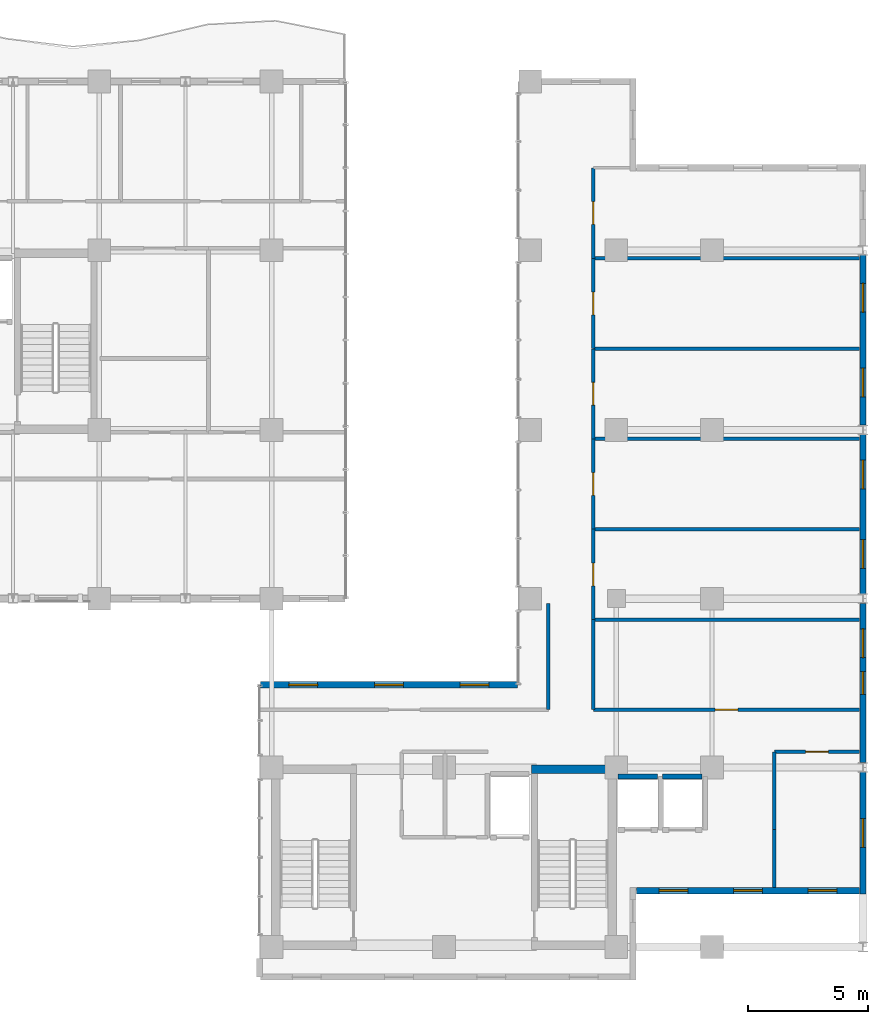
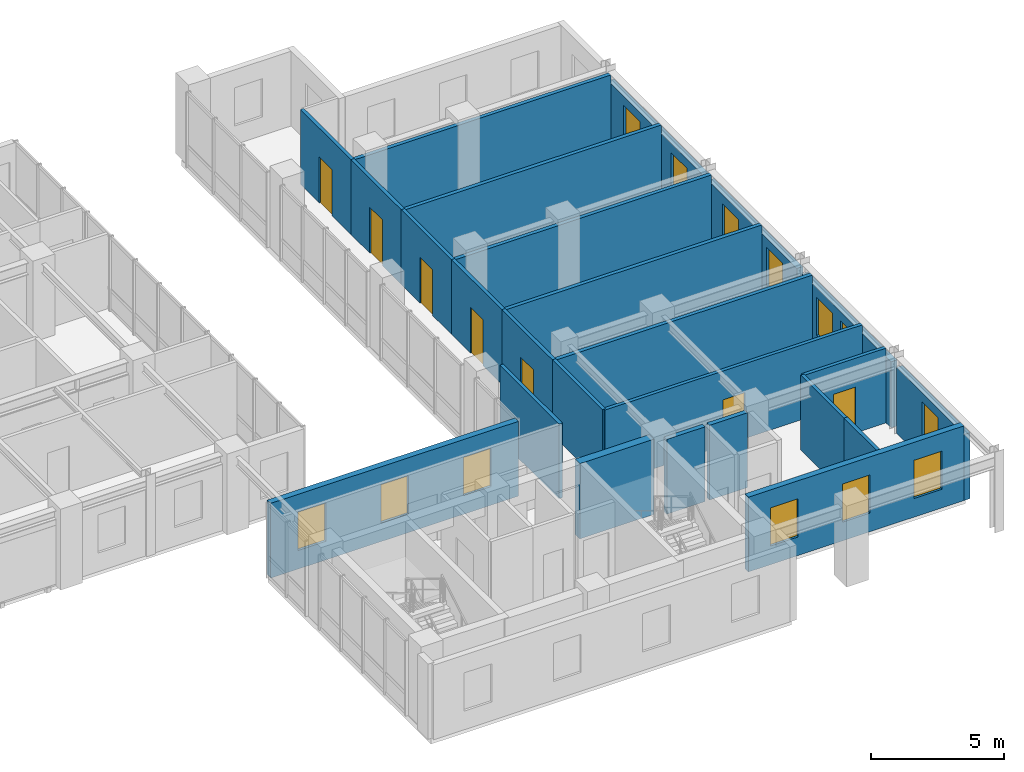
# One storey, part 19 of 24: 25 walls, 13 windows, 7 doors, 20 openings.
"""IFC4 building model written with IfcOpenShell, lengths in metres."""

from ifc_helpers import new_model, si_unit, direction, frame, frame_2d, origin, place, context, subcontext, project, spatial, rectangle, extrude, material, layer, layer_set, type_object, element, fill, save


model = new_model("IFC4")

# Units and contexts
model_context = context("Model", 3, precision=1e-05, world=origin(), true_north=direction((0.0, 1.0)))
body_context = subcontext(model_context, "Body", "Model", "MODEL_VIEW")
ifc_project = project(units=[si_unit("LENGTHUNIT", "METRE"), si_unit("AREAUNIT", "SQUARE_METRE"), si_unit("VOLUMEUNIT", "CUBIC_METRE"), si_unit("PLANEANGLEUNIT", "RADIAN"), si_unit("MASSUNIT", "GRAM", prefix="KILO")], contexts=[model_context])

# Site, building, storey
site_placement = place(None, origin())
site = spatial("IfcSite", under=ifc_project, at=site_placement, CompositionType="ELEMENT")
building_placement = place(site_placement, origin())
building = spatial("IfcBuilding", under=site, at=building_placement, Name="Kaliganga Portal Commons", CompositionType="ELEMENT")
storey_placement = place(building_placement, frame((0.0, 0.0, 242.5)))
storey = spatial("IfcBuildingStorey", under=building, at=storey_placement, Name="L62", CompositionType="ELEMENT", Elevation=242.5)

# Wall
ifc_material_1 = material(Name="Concrete C50/60", Category="concrete")
ifc_layer_1 = layer(ifc_material_1, 0.35009765625)
ifc_layer_set_1 = layer_set([ifc_layer_1], Name="Concrete C50/60")
wall_type_1 = type_object("IfcWallType", Name="WL-CORE-350", PredefinedType="SHEAR", material=ifc_layer_set_1)
wall_1_placement = place(storey_placement, frame((46.85009765625, 14.47509765625, 0.0), z_axis=(0.0, 0.0, 1.0), x_axis=(1.0, 0.0, 0.0)))
element("IfcWall", 1, at=wall_1_placement, inside=storey, type_object=wall_type_1, Name="Core B N-East Shear Wall L62", PredefinedType="SHEAR", context=body_context, shape_type="SweptSolid", body=[
    extrude(rectangle(XDim=3.199951171875, YDim=0.35009765625, at=frame_2d((1.60009765625, 0.0))), origin(), (0.0, 0.0, 1.0), 3.43994140625),
])

# Wall, openings, windows
ifc_material_2 = material(Name="Insulated Aluminium-Clad Spandrel Assembly", Category="aluminium")
ifc_layer_2 = layer(ifc_material_2, 0.260009765625)
ifc_layer_set_2 = layer_set([ifc_layer_2], Name="Insulated Aluminium-Clad Spandrel Assembly")
wall_type_2 = type_object("IfcWallType", Name="WL-EXT-SPAND-260", PredefinedType="STANDARD", material=ifc_layer_set_2)
wall_2_placement = place(storey_placement, frame((60.56494140625, 9.39990234375, 0.0), z_axis=(0.0, 0.0, 1.0), x_axis=(-1.0, 0.0, 0.0)))
wall_2 = element("IfcWall", 2, at=wall_2_placement, inside=storey, type_object=wall_type_2, Name="Exterior Envelope Wall L62 P2-E02-S1", PredefinedType="STANDARD", context=body_context, shape_type="SweptSolid", body=[
    extrude(rectangle(XDim=9.329833984375, YDim=0.260009765625, at=frame_2d((4.6650390625, 0.0))), origin(), (0.0, 0.0, 1.0), 3.419921875),
])
opening_1_placement = place(wall_2_placement, frame((0.955078125, 0.0, 0.85009765625)))
opening_1 = element("IfcOpeningElement", 3, at=opening_1_placement, cuts=wall_2, Name="Opening W-03", PredefinedType="OPENING", context=body_context, shape_type="SweptSolid", body=[
    extrude(rectangle(XDim=1.199951171875, YDim=1.75, at=frame_2d((0.60009765625, 0.875))), frame((0.0, 0.14013671875, 0.0), z_axis=(0.0, -1.0, 0.0), x_axis=(1.0, 0.0, 0.0)), (0.0, 0.0, 1.0), 0.280029296875),
])
opening_2_placement = place(wall_2_placement, frame((4.06494140625, 0.0, 0.85009765625)))
opening_2 = element("IfcOpeningElement", 4, at=opening_2_placement, cuts=wall_2, Name="Opening W-03", PredefinedType="OPENING", context=body_context, shape_type="SweptSolid", body=[
    extrude(rectangle(XDim=1.199951171875, YDim=1.75, at=frame_2d((0.60009765625, 0.875))), frame((0.0, 0.14013671875, 0.0), z_axis=(0.0, -1.0, 0.0), x_axis=(1.0, 0.0, 0.0)), (0.0, 0.0, 1.0), 0.280029296875),
])
opening_3_placement = place(wall_2_placement, frame((7.175048828125, 0.0, 0.85009765625)))
opening_3 = element("IfcOpeningElement", 5, at=opening_3_placement, cuts=wall_2, Name="Opening W-03", PredefinedType="OPENING", context=body_context, shape_type="SweptSolid", body=[
    extrude(rectangle(XDim=1.199951171875, YDim=1.75, at=frame_2d((0.60009765625, 0.875))), frame((0.0, 0.14013671875, 0.0), z_axis=(0.0, -1.0, 0.0), x_axis=(1.0, 0.0, 0.0)), (0.0, 0.0, 1.0), 0.280029296875),
])
ifc_material_3 = material(Name="Thermally Broken Aluminium and Low-E Double Glazing", Category="aluminium")
window_type_1 = type_object("IfcWindowType", Name="WIN-STD-1200", PartitioningType="SINGLE_PANEL", PredefinedType="WINDOW", material=ifc_material_3)
window_1_placement = place(opening_1_placement, origin())
window_1 = element("IfcWindow", 6, at=window_1_placement, inside=storey, type_object=window_type_1, Name="Facade Window L62-P2E02S1-00", OverallHeight=1.75, OverallWidth=1.199951171875, PartitioningType="SINGLE_PANEL", PredefinedType="WINDOW", context=body_context, shape_type="SweptSolid", body=[
    extrude(rectangle(XDim=1.199951171875, YDim=1.75, at=frame_2d((0.60009765625, 0.875))), frame((0.0, 0.030029296875, 0.0), z_axis=(0.0, -1.0, 0.0), x_axis=(1.0, 0.0, 0.0)), (0.0, 0.0, 1.0), 0.06005859375),
])
fill(opening_1, window_1)
window_2_placement = place(opening_2_placement, origin())
window_2 = element("IfcWindow", 7, at=window_2_placement, inside=storey, type_object=window_type_1, Name="Facade Window L62-P2E02S1-01", OverallHeight=1.75, OverallWidth=1.199951171875, PartitioningType="SINGLE_PANEL", PredefinedType="WINDOW", context=body_context, shape_type="SweptSolid", body=[
    extrude(rectangle(XDim=1.199951171875, YDim=1.75, at=frame_2d((0.60009765625, 0.875))), frame((0.0, 0.030029296875, 0.0), z_axis=(0.0, -1.0, 0.0), x_axis=(1.0, 0.0, 0.0)), (0.0, 0.0, 1.0), 0.06005859375),
])
fill(opening_2, window_2)
window_3_placement = place(opening_3_placement, origin())
window_3 = element("IfcWindow", 8, at=window_3_placement, inside=storey, type_object=window_type_1, Name="Facade Window L62-P2E02S1-02", OverallHeight=1.75, OverallWidth=1.199951171875, PartitioningType="SINGLE_PANEL", PredefinedType="WINDOW", context=body_context, shape_type="SweptSolid", body=[
    extrude(rectangle(XDim=1.199951171875, YDim=1.75, at=frame_2d((0.60009765625, 0.875))), frame((0.0, 0.030029296875, 0.0), z_axis=(0.0, -1.0, 0.0), x_axis=(1.0, 0.0, 0.0)), (0.0, 0.0, 1.0), 0.06005859375),
])
fill(opening_3, window_3)

# Wall, opening, window
wall_3_placement = place(storey_placement, frame((60.699951171875, 14.34912109375, 0.0), z_axis=(0.0, 0.0, 1.0), x_axis=(0.0, -1.0, 0.0)))
wall_3 = element("IfcWall", 9, at=wall_3_placement, inside=storey, type_object=wall_type_2, Name="Exterior Envelope Wall L62 P2-E03-S1", PredefinedType="STANDARD", context=body_context, shape_type="SweptSolid", body=[
    extrude(rectangle(XDim=5.0791015625, YDim=0.260009765625, at=frame_2d((2.53955078125, 0.0))), origin(), (0.0, 0.0, 1.0), 3.02001953125),
])
opening_4_placement = place(wall_3_placement, frame((1.939453125, 0.0, 0.85009765625)))
opening_4 = element("IfcOpeningElement", 10, at=opening_4_placement, cuts=wall_3, Name="Opening W-03", PredefinedType="OPENING", context=body_context, shape_type="SweptSolid", body=[
    extrude(rectangle(XDim=1.199951171875, YDim=1.75, at=frame_2d((0.60009765625, 0.875))), frame((0.0, 0.14013671875, 0.0), z_axis=(0.0, -1.0, 0.0), x_axis=(1.0, 0.0, 0.0)), (0.0, 0.0, 1.0), 0.280029296875),
])
window_4_placement = place(opening_4_placement, origin())
window_4 = element("IfcWindow", 11, at=window_4_placement, inside=storey, type_object=window_type_1, Name="Facade Window L62-P2E03S1-00", OverallHeight=1.75, OverallWidth=1.199951171875, PartitioningType="SINGLE_PANEL", PredefinedType="WINDOW", context=body_context, shape_type="SweptSolid", body=[
    extrude(rectangle(XDim=1.199951171875, YDim=1.75, at=frame_2d((0.60009765625, 0.875))), frame((0.0, 0.030029296875, 0.0), z_axis=(0.0, -1.0, 0.0), x_axis=(1.0, 0.0, 0.0)), (0.0, 0.0, 1.0), 0.06005859375),
])
fill(opening_4, window_4)

# Wall, openings, windows
wall_4_placement = place(storey_placement, frame((60.699951171875, 21.39892578125, 0.0), z_axis=(0.0, 0.0, 1.0), x_axis=(0.0, -1.0, 0.0)))
wall_4 = element("IfcWall", 12, at=wall_4_placement, inside=storey, type_object=wall_type_2, Name="Exterior Envelope Wall L62 P2-E03-S2", PredefinedType="STANDARD", context=body_context, shape_type="SweptSolid", body=[
    extrude(rectangle(XDim=6.64794921875, YDim=0.260009765625, at=frame_2d((3.323974609375, 0.0))), origin(), (0.0, 0.0, 1.0), 3.02001953125),
])
opening_5_placement = place(wall_4_placement, frame((1.06201171875, 0.0, 0.85009765625)))
opening_5 = element("IfcOpeningElement", 13, at=opening_5_placement, cuts=wall_4, Name="Opening W-03", PredefinedType="OPENING", context=body_context, shape_type="SweptSolid", body=[
    extrude(rectangle(XDim=1.199951171875, YDim=1.75, at=frame_2d((0.60009765625, 0.875))), frame((0.0, 0.14013671875, 0.0), z_axis=(0.0, -1.0, 0.0), x_axis=(1.0, 0.0, 0.0)), (0.0, 0.0, 1.0), 0.280029296875),
])
opening_6_placement = place(wall_4_placement, frame((2.84912109375, 0.0, 0.85009765625)))
opening_6 = element("IfcOpeningElement", 14, at=opening_6_placement, cuts=wall_4, Name="Opening W-04", PredefinedType="OPENING", context=body_context, shape_type="SweptSolid", body=[
    extrude(rectangle(XDim=0.949951171875, YDim=1.75, at=frame_2d((0.47509765625, 0.875))), frame((0.0, 0.14013671875, 0.0), z_axis=(0.0, -1.0, 0.0), x_axis=(1.0, 0.0, 0.0)), (0.0, 0.0, 1.0), 0.280029296875),
])
window_type_2 = type_object("IfcWindowType", Name="WIN-NARROW-950", PartitioningType="SINGLE_PANEL", PredefinedType="WINDOW", material=ifc_material_3)
window_5_placement = place(opening_6_placement, origin())
window_5 = element("IfcWindow", 15, at=window_5_placement, inside=storey, type_object=window_type_2, Name="Facade Window L62-P2E03S2-N0", OverallHeight=1.75, OverallWidth=0.949951171875, PartitioningType="SINGLE_PANEL", PredefinedType="WINDOW", context=body_context, shape_type="SweptSolid", body=[
    extrude(rectangle(XDim=0.949951171875, YDim=1.75, at=frame_2d((0.47509765625, 0.875))), frame((0.0, 0.030029296875, 0.0), z_axis=(0.0, -1.0, 0.0), x_axis=(1.0, 0.0, 0.0)), (0.0, 0.0, 1.0), 0.06005859375),
])
fill(opening_6, window_5)
window_6_placement = place(opening_5_placement, origin())
window_6 = element("IfcWindow", 16, at=window_6_placement, inside=storey, type_object=window_type_1, Name="Facade Window L62-P2E03S2-00", OverallHeight=1.75, OverallWidth=1.199951171875, PartitioningType="SINGLE_PANEL", PredefinedType="WINDOW", context=body_context, shape_type="SweptSolid", body=[
    extrude(rectangle(XDim=1.199951171875, YDim=1.75, at=frame_2d((0.60009765625, 0.875))), frame((0.0, 0.030029296875, 0.0), z_axis=(0.0, -1.0, 0.0), x_axis=(1.0, 0.0, 0.0)), (0.0, 0.0, 1.0), 0.06005859375),
])
fill(opening_5, window_6)

wall_5_placement = place(storey_placement, frame((60.699951171875, 28.448974609375, 0.0), z_axis=(0.0, 0.0, 1.0), x_axis=(0.0, -1.0, 0.0)))
wall_5 = element("IfcWall", 17, at=wall_5_placement, inside=storey, type_object=wall_type_2, Name="Exterior Envelope Wall L62 P2-E03-S3", PredefinedType="STANDARD", context=body_context, shape_type="SweptSolid", body=[
    extrude(rectangle(XDim=6.64794921875, YDim=0.260009765625, at=frame_2d((3.323974609375, 0.0))), origin(), (0.0, 0.0, 1.0), 3.02001953125),
])
opening_7_placement = place(wall_5_placement, frame((1.06201171875, 0.0, 0.85009765625)))
opening_7 = element("IfcOpeningElement", 18, at=opening_7_placement, cuts=wall_5, Name="Opening W-03", PredefinedType="OPENING", context=body_context, shape_type="SweptSolid", body=[
    extrude(rectangle(XDim=1.199951171875, YDim=1.75, at=frame_2d((0.60009765625, 0.875))), frame((0.0, 0.14013671875, 0.0), z_axis=(0.0, -1.0, 0.0), x_axis=(1.0, 0.0, 0.0)), (0.0, 0.0, 1.0), 0.280029296875),
])
opening_8_placement = place(wall_5_placement, frame((4.385986328125, 0.0, 0.85009765625)))
opening_8 = element("IfcOpeningElement", 19, at=opening_8_placement, cuts=wall_5, Name="Opening W-03", PredefinedType="OPENING", context=body_context, shape_type="SweptSolid", body=[
    extrude(rectangle(XDim=1.199951171875, YDim=1.75, at=frame_2d((0.60009765625, 0.875))), frame((0.0, 0.14013671875, 0.0), z_axis=(0.0, -1.0, 0.0), x_axis=(1.0, 0.0, 0.0)), (0.0, 0.0, 1.0), 0.280029296875),
])
window_7_placement = place(opening_7_placement, origin())
window_7 = element("IfcWindow", 20, at=window_7_placement, inside=storey, type_object=window_type_1, Name="Facade Window L62-P2E03S3-00", OverallHeight=1.75, OverallWidth=1.199951171875, PartitioningType="SINGLE_PANEL", PredefinedType="WINDOW", context=body_context, shape_type="SweptSolid", body=[
    extrude(rectangle(XDim=1.199951171875, YDim=1.75, at=frame_2d((0.60009765625, 0.875))), frame((0.0, 0.030029296875, 0.0), z_axis=(0.0, -1.0, 0.0), x_axis=(1.0, 0.0, 0.0)), (0.0, 0.0, 1.0), 0.06005859375),
])
fill(opening_7, window_7)
window_8_placement = place(opening_8_placement, origin())
window_8 = element("IfcWindow", 21, at=window_8_placement, inside=storey, type_object=window_type_1, Name="Facade Window L62-P2E03S3-01", OverallHeight=1.75, OverallWidth=1.199951171875, PartitioningType="SINGLE_PANEL", PredefinedType="WINDOW", context=body_context, shape_type="SweptSolid", body=[
    extrude(rectangle(XDim=1.199951171875, YDim=1.75, at=frame_2d((0.60009765625, 0.875))), frame((0.0, 0.030029296875, 0.0), z_axis=(0.0, -1.0, 0.0), x_axis=(1.0, 0.0, 0.0)), (0.0, 0.0, 1.0), 0.06005859375),
])
fill(opening_8, window_8)

wall_6_placement = place(storey_placement, frame((60.699951171875, 35.948974609375, 0.0), z_axis=(0.0, 0.0, 1.0), x_axis=(0.0, -1.0, 0.0)))
wall_6 = element("IfcWall", 22, at=wall_6_placement, inside=storey, type_object=wall_type_2, Name="Exterior Envelope Wall L62 P2-E03-S4", PredefinedType="STANDARD", context=body_context, shape_type="SweptSolid", body=[
    extrude(rectangle(XDim=7.097900390625, YDim=0.260009765625, at=frame_2d((3.548828125, 0.0))), origin(), (0.0, 0.0, 1.0), 3.02001953125),
])
opening_9_placement = place(wall_6_placement, frame((1.174560546875, 0.0, 0.85009765625)))
opening_9 = element("IfcOpeningElement", 23, at=opening_9_placement, cuts=wall_6, Name="Opening W-03", PredefinedType="OPENING", context=body_context, shape_type="SweptSolid", body=[
    extrude(rectangle(XDim=1.199951171875, YDim=1.75, at=frame_2d((0.60009765625, 0.875))), frame((0.0, 0.14013671875, 0.0), z_axis=(0.0, -1.0, 0.0), x_axis=(1.0, 0.0, 0.0)), (0.0, 0.0, 1.0), 0.280029296875),
])
opening_10_placement = place(wall_6_placement, frame((4.723388671875, 0.0, 0.85009765625)))
opening_10 = element("IfcOpeningElement", 24, at=opening_10_placement, cuts=wall_6, Name="Opening W-03", PredefinedType="OPENING", context=body_context, shape_type="SweptSolid", body=[
    extrude(rectangle(XDim=1.199951171875, YDim=1.75, at=frame_2d((0.60009765625, 0.875))), frame((0.0, 0.14013671875, 0.0), z_axis=(0.0, -1.0, 0.0), x_axis=(1.0, 0.0, 0.0)), (0.0, 0.0, 1.0), 0.280029296875),
])
window_9_placement = place(opening_9_placement, origin())
window_9 = element("IfcWindow", 25, at=window_9_placement, inside=storey, type_object=window_type_1, Name="Facade Window L62-P2E03S4-00", OverallHeight=1.75, OverallWidth=1.199951171875, PartitioningType="SINGLE_PANEL", PredefinedType="WINDOW", context=body_context, shape_type="SweptSolid", body=[
    extrude(rectangle(XDim=1.199951171875, YDim=1.75, at=frame_2d((0.60009765625, 0.875))), frame((0.0, 0.030029296875, 0.0), z_axis=(0.0, -1.0, 0.0), x_axis=(1.0, 0.0, 0.0)), (0.0, 0.0, 1.0), 0.06005859375),
])
fill(opening_9, window_9)
window_10_placement = place(opening_10_placement, origin())
window_10 = element("IfcWindow", 26, at=window_10_placement, inside=storey, type_object=window_type_1, Name="Facade Window L62-P2E03S4-01", OverallHeight=1.75, OverallWidth=1.199951171875, PartitioningType="SINGLE_PANEL", PredefinedType="WINDOW", context=body_context, shape_type="SweptSolid", body=[
    extrude(rectangle(XDim=1.199951171875, YDim=1.75, at=frame_2d((0.60009765625, 0.875))), frame((0.0, 0.030029296875, 0.0), z_axis=(0.0, -1.0, 0.0), x_axis=(1.0, 0.0, 0.0)), (0.0, 0.0, 1.0), 0.06005859375),
])
fill(opening_10, window_10)

wall_7_placement = place(storey_placement, frame((35.537109375, 18.0, 0.0), z_axis=(0.0, 0.0, 1.0), x_axis=(1.0, 0.0, 0.0)))
wall_7 = element("IfcWall", 27, at=wall_7_placement, inside=storey, type_object=wall_type_2, Name="Exterior Envelope Wall L62 P2-E08-S1", PredefinedType="STANDARD", context=body_context, shape_type="SweptSolid", body=[
    extrude(rectangle(XDim=10.725830078125, YDim=0.260009765625, at=frame_2d((5.36279296875, 0.0))), origin(), (0.0, 0.0, 1.0), 3.419921875),
])
opening_11_placement = place(wall_7_placement, frame((1.187744140625, 0.0, 0.85009765625)))
opening_11 = element("IfcOpeningElement", 28, at=opening_11_placement, cuts=wall_7, Name="Opening W-03", PredefinedType="OPENING", context=body_context, shape_type="SweptSolid", body=[
    extrude(rectangle(XDim=1.199951171875, YDim=1.75, at=frame_2d((0.60009765625, 0.875))), frame((0.0, 0.14013671875, 0.0), z_axis=(0.0, -1.0, 0.0), x_axis=(1.0, 0.0, 0.0)), (0.0, 0.0, 1.0), 0.280029296875),
])
opening_12_placement = place(wall_7_placement, frame((4.762939453125, 0.0, 0.85009765625)))
opening_12 = element("IfcOpeningElement", 29, at=opening_12_placement, cuts=wall_7, Name="Opening W-03", PredefinedType="OPENING", context=body_context, shape_type="SweptSolid", body=[
    extrude(rectangle(XDim=1.199951171875, YDim=1.75, at=frame_2d((0.60009765625, 0.875))), frame((0.0, 0.14013671875, 0.0), z_axis=(0.0, -1.0, 0.0), x_axis=(1.0, 0.0, 0.0)), (0.0, 0.0, 1.0), 0.280029296875),
])
opening_13_placement = place(wall_7_placement, frame((8.33837890625, 0.0, 0.85009765625)))
opening_13 = element("IfcOpeningElement", 30, at=opening_13_placement, cuts=wall_7, Name="Opening W-03", PredefinedType="OPENING", context=body_context, shape_type="SweptSolid", body=[
    extrude(rectangle(XDim=1.199951171875, YDim=1.75, at=frame_2d((0.60009765625, 0.875))), frame((0.0, 0.14013671875, 0.0), z_axis=(0.0, -1.0, 0.0), x_axis=(1.0, 0.0, 0.0)), (0.0, 0.0, 1.0), 0.280029296875),
])
window_11_placement = place(opening_11_placement, origin())
window_11 = element("IfcWindow", 31, at=window_11_placement, inside=storey, type_object=window_type_1, Name="Facade Window L62-P2E08S1-00", OverallHeight=1.75, OverallWidth=1.199951171875, PartitioningType="SINGLE_PANEL", PredefinedType="WINDOW", context=body_context, shape_type="SweptSolid", body=[
    extrude(rectangle(XDim=1.199951171875, YDim=1.75, at=frame_2d((0.60009765625, 0.875))), frame((0.0, 0.030029296875, 0.0), z_axis=(0.0, -1.0, 0.0), x_axis=(1.0, 0.0, 0.0)), (0.0, 0.0, 1.0), 0.06005859375),
])
fill(opening_11, window_11)
window_12_placement = place(opening_12_placement, origin())
window_12 = element("IfcWindow", 32, at=window_12_placement, inside=storey, type_object=window_type_1, Name="Facade Window L62-P2E08S1-01", OverallHeight=1.75, OverallWidth=1.199951171875, PartitioningType="SINGLE_PANEL", PredefinedType="WINDOW", context=body_context, shape_type="SweptSolid", body=[
    extrude(rectangle(XDim=1.199951171875, YDim=1.75, at=frame_2d((0.60009765625, 0.875))), frame((0.0, 0.030029296875, 0.0), z_axis=(0.0, -1.0, 0.0), x_axis=(1.0, 0.0, 0.0)), (0.0, 0.0, 1.0), 0.06005859375),
])
fill(opening_12, window_12)
window_13_placement = place(opening_13_placement, origin())
window_13 = element("IfcWindow", 33, at=window_13_placement, inside=storey, type_object=window_type_1, Name="Facade Window L62-P2E08S1-02", OverallHeight=1.75, OverallWidth=1.199951171875, PartitioningType="SINGLE_PANEL", PredefinedType="WINDOW", context=body_context, shape_type="SweptSolid", body=[
    extrude(rectangle(XDim=1.199951171875, YDim=1.75, at=frame_2d((0.60009765625, 0.875))), frame((0.0, 0.030029296875, 0.0), z_axis=(0.0, -1.0, 0.0), x_axis=(1.0, 0.0, 0.0)), (0.0, 0.0, 1.0), 0.06005859375),
])
fill(opening_13, window_13)

# Wall, opening, door
ifc_material_4 = material(Name="Fire-Rated Gypsum Board on Steel Stud", Category="steel")
ifc_layer_3 = layer(ifc_material_4, 0.14990234375)
ifc_layer_set_3 = layer_set([ifc_layer_3], Name="Fire-Rated Gypsum Board on Steel Stud")
wall_type_3 = type_object("IfcWallType", Name="WL-PART-CORR-150", PredefinedType="PARTITIONING", material=ifc_layer_set_3)
wall_8_placement = place(storey_placement, frame((49.43994140625, 16.9599609375, 0.0), z_axis=(0.0, 0.0, 1.0), x_axis=(1.0, 0.0, 0.0)))
wall_8 = element("IfcWall", 34, at=wall_8_placement, inside=storey, type_object=wall_type_3, Name="Interior Partition L62-004", PredefinedType="PARTITIONING", context=body_context, shape_type="SweptSolid", body=[
    extrude(rectangle(XDim=11.128173828125, YDim=0.14990234375, at=frame_2d((5.56396484375, 0.0))), origin(), (0.0, 0.0, 1.0), 3.419921875),
])
opening_14_placement = place(wall_8_placement, frame((5.089111328125, 0.0, 0.0)))
opening_14 = element("IfcOpeningElement", 35, at=opening_14_placement, cuts=wall_8, Name="Opening UD-01", PredefinedType="OPENING", context=body_context, shape_type="SweptSolid", body=[
    extrude(rectangle(XDim=0.949951171875, YDim=2.10009765625, at=frame_2d((0.47509765625, 1.050048828125))), frame((0.0, 0.0849609375, 0.0), z_axis=(0.0, -1.0, 0.0), x_axis=(1.0, 0.0, 0.0)), (0.0, 0.0, 1.0), 0.169921875),
])
ifc_material_5 = material(Name="Solid-Core Timber Acoustic Fire Door", Category="wood")
door_type = type_object("IfcDoorType", Name="DR-UNIT-950", OperationType="NOTDEFINED", PredefinedType="DOOR", material=ifc_material_5)
door_1_placement = place(opening_14_placement, origin())
door_1 = element("IfcDoor", 36, at=door_1_placement, inside=storey, type_object=door_type, Name="Interior Door L62-BP01", OperationType="SINGLE_SWING_RIGHT", OverallHeight=2.10009765625, OverallWidth=0.949951171875, PredefinedType="DOOR", context=body_context, shape_type="SweptSolid", body=[
    extrude(rectangle(XDim=0.949951171875, YDim=2.10009765625, at=frame_2d((0.47509765625, 1.050048828125))), frame((0.0, 0.02490234375, 0.0), z_axis=(0.0, -1.0, 0.0), x_axis=(1.0, 0.0, 0.0)), (0.0, 0.0, 1.0), 0.050048828125),
])
fill(opening_14, door_1)

# Wall
wall_9_placement = place(storey_placement, frame((47.56005859375, 16.9599609375, 0.0), z_axis=(0.0, 0.0, 1.0), x_axis=(0.0, 1.0, 0.0)))
element("IfcWall", 37, at=wall_9_placement, inside=storey, type_object=wall_type_3, Name="Interior Partition L62-012", PredefinedType="PARTITIONING", context=body_context, shape_type="SweptSolid", body=[
    extrude(rectangle(XDim=4.43994140625, YDim=0.14990234375, at=frame_2d((2.219970703125, 0.0))), origin(), (0.0, 0.0, 1.0), 3.419921875),
])

# Wall, opening, door
wall_10_placement = place(storey_placement, frame((49.43994140625, 20.719970703125, 0.0), z_axis=(0.0, 0.0, 1.0), x_axis=(0.0, 1.0, 0.0)))
wall_10 = element("IfcWall", 38, at=wall_10_placement, inside=storey, type_object=wall_type_3, Name="Interior Partition L62-014", PredefinedType="PARTITIONING", context=body_context, shape_type="SweptSolid", body=[
    extrude(rectangle(XDim=3.780029296875, YDim=0.14990234375, at=frame_2d((1.89013671875, 0.0))), origin(), (0.0, 0.0, 1.0), 3.419921875),
])
opening_15_placement = place(wall_10_placement, frame((1.4150390625, 0.0, 0.0)))
opening_15 = element("IfcOpeningElement", 39, at=opening_15_placement, cuts=wall_10, Name="Opening UD-01", PredefinedType="OPENING", context=body_context, shape_type="SweptSolid", body=[
    extrude(rectangle(XDim=0.949951171875, YDim=2.10009765625, at=frame_2d((0.47509765625, 1.050048828125))), frame((0.0, 0.0849609375, 0.0), z_axis=(0.0, -1.0, 0.0), x_axis=(1.0, 0.0, 0.0)), (0.0, 0.0, 1.0), 0.169921875),
])
door_2_placement = place(opening_15_placement, origin())
door_2 = element("IfcDoor", 40, at=door_2_placement, inside=storey, type_object=door_type, Name="Interior Door L62-BP02", OperationType="SINGLE_SWING_RIGHT", OverallHeight=2.10009765625, OverallWidth=0.949951171875, PredefinedType="DOOR", context=body_context, shape_type="SweptSolid", body=[
    extrude(rectangle(XDim=0.949951171875, YDim=2.10009765625, at=frame_2d((0.47509765625, 1.050048828125))), frame((0.0, 0.02490234375, 0.0), z_axis=(0.0, -1.0, 0.0), x_axis=(1.0, 0.0, 0.0)), (0.0, 0.0, 1.0), 0.050048828125),
])
fill(opening_15, door_2)

wall_11_placement = place(storey_placement, frame((49.43994140625, 24.5, 0.0), z_axis=(0.0, 0.0, 1.0), x_axis=(0.0, 1.0, 0.0)))
wall_11 = element("IfcWall", 41, at=wall_11_placement, inside=storey, type_object=wall_type_3, Name="Interior Partition L62-015", PredefinedType="PARTITIONING", context=body_context, shape_type="SweptSolid", body=[
    extrude(rectangle(XDim=3.780029296875, YDim=0.14990234375, at=frame_2d((1.89013671875, 0.0))), origin(), (0.0, 0.0, 1.0), 3.419921875),
])
opening_16_placement = place(wall_11_placement, frame((1.4150390625, 0.0, 0.0)))
opening_16 = element("IfcOpeningElement", 42, at=opening_16_placement, cuts=wall_11, Name="Opening UD-01", PredefinedType="OPENING", context=body_context, shape_type="SweptSolid", body=[
    extrude(rectangle(XDim=0.949951171875, YDim=2.10009765625, at=frame_2d((0.47509765625, 1.050048828125))), frame((0.0, 0.0849609375, 0.0), z_axis=(0.0, -1.0, 0.0), x_axis=(1.0, 0.0, 0.0)), (0.0, 0.0, 1.0), 0.169921875),
])
door_3_placement = place(opening_16_placement, origin())
door_3 = element("IfcDoor", 43, at=door_3_placement, inside=storey, type_object=door_type, Name="Interior Door L62-BP03", OperationType="SINGLE_SWING_LEFT", OverallHeight=2.10009765625, OverallWidth=0.949951171875, PredefinedType="DOOR", context=body_context, shape_type="SweptSolid", body=[
    extrude(rectangle(XDim=0.949951171875, YDim=2.10009765625, at=frame_2d((0.47509765625, 1.050048828125))), frame((0.0, 0.02490234375, 0.0), z_axis=(0.0, -1.0, 0.0), x_axis=(1.0, 0.0, 0.0)), (0.0, 0.0, 1.0), 0.050048828125),
])
fill(opening_16, door_3)

wall_12_placement = place(storey_placement, frame((49.43994140625, 32.0400390625, 0.0), z_axis=(0.0, 0.0, 1.0), x_axis=(0.0, 1.0, 0.0)))
wall_12 = element("IfcWall", 44, at=wall_12_placement, inside=storey, type_object=wall_type_3, Name="Interior Partition L62-016", PredefinedType="PARTITIONING", context=body_context, shape_type="SweptSolid", body=[
    extrude(rectangle(XDim=3.780029296875, YDim=0.14990234375, at=frame_2d((1.89013671875, 0.0))), origin(), (0.0, 0.0, 1.0), 3.419921875),
])
opening_17_placement = place(wall_12_placement, frame((1.4150390625, 0.0, 0.0)))
opening_17 = element("IfcOpeningElement", 45, at=opening_17_placement, cuts=wall_12, Name="Opening UD-01", PredefinedType="OPENING", context=body_context, shape_type="SweptSolid", body=[
    extrude(rectangle(XDim=0.949951171875, YDim=2.10009765625, at=frame_2d((0.47509765625, 1.050048828125))), frame((0.0, 0.0849609375, 0.0), z_axis=(0.0, -1.0, 0.0), x_axis=(1.0, 0.0, 0.0)), (0.0, 0.0, 1.0), 0.169921875),
])
door_4_placement = place(opening_17_placement, origin())
door_4 = element("IfcDoor", 46, at=door_4_placement, inside=storey, type_object=door_type, Name="Interior Door L62-BP05", OperationType="SINGLE_SWING_RIGHT", OverallHeight=2.10009765625, OverallWidth=0.949951171875, PredefinedType="DOOR", context=body_context, shape_type="SweptSolid", body=[
    extrude(rectangle(XDim=0.949951171875, YDim=2.10009765625, at=frame_2d((0.47509765625, 1.050048828125))), frame((0.0, 0.02490234375, 0.0), z_axis=(0.0, -1.0, 0.0), x_axis=(1.0, 0.0, 0.0)), (0.0, 0.0, 1.0), 0.050048828125),
])
fill(opening_17, door_4)

wall_13_placement = place(storey_placement, frame((49.43994140625, 35.820068359375, 0.0), z_axis=(0.0, 0.0, 1.0), x_axis=(0.0, 1.0, 0.0)))
wall_13 = element("IfcWall", 47, at=wall_13_placement, inside=storey, type_object=wall_type_3, Name="Interior Partition L62-017", PredefinedType="PARTITIONING", context=body_context, shape_type="SweptSolid", body=[
    extrude(rectangle(XDim=3.780029296875, YDim=0.14990234375, at=frame_2d((1.89013671875, 0.0))), origin(), (0.0, 0.0, 1.0), 3.419921875),
])
opening_18_placement = place(wall_13_placement, frame((1.4150390625, 0.0, 0.0)))
opening_18 = element("IfcOpeningElement", 48, at=opening_18_placement, cuts=wall_13, Name="Opening UD-01", PredefinedType="OPENING", context=body_context, shape_type="SweptSolid", body=[
    extrude(rectangle(XDim=0.949951171875, YDim=2.10009765625, at=frame_2d((0.47509765625, 1.050048828125))), frame((0.0, 0.0849609375, 0.0), z_axis=(0.0, -1.0, 0.0), x_axis=(1.0, 0.0, 0.0)), (0.0, 0.0, 1.0), 0.169921875),
])
door_5_placement = place(opening_18_placement, origin())
door_5 = element("IfcDoor", 49, at=door_5_placement, inside=storey, type_object=door_type, Name="Interior Door L62-BP06", OperationType="SINGLE_SWING_LEFT", OverallHeight=2.10009765625, OverallWidth=0.949951171875, PredefinedType="DOOR", context=body_context, shape_type="SweptSolid", body=[
    extrude(rectangle(XDim=0.949951171875, YDim=2.10009765625, at=frame_2d((0.47509765625, 1.050048828125))), frame((0.0, 0.02490234375, 0.0), z_axis=(0.0, -1.0, 0.0), x_axis=(1.0, 0.0, 0.0)), (0.0, 0.0, 1.0), 0.050048828125),
])
fill(opening_18, door_5)

# Wall
wall_14_placement = place(storey_placement, frame((49.43994140625, 16.9599609375, 0.0), z_axis=(0.0, 0.0, 1.0), x_axis=(0.0, 1.0, 0.0)))
element("IfcWall", 50, at=wall_14_placement, inside=storey, type_object=wall_type_3, Name="Interior Partition L62-018", PredefinedType="PARTITIONING", context=body_context, shape_type="SweptSolid", body=[
    extrude(rectangle(XDim=3.760009765625, YDim=0.14990234375, at=frame_2d((1.8798828125, 0.0))), origin(), (0.0, 0.0, 1.0), 3.419921875),
])

# Wall, opening, door
wall_15_placement = place(storey_placement, frame((49.43994140625, 28.280029296875, 0.0), z_axis=(0.0, 0.0, 1.0), x_axis=(0.0, 1.0, 0.0)))
wall_15 = element("IfcWall", 51, at=wall_15_placement, inside=storey, type_object=wall_type_3, Name="Interior Partition L62-019", PredefinedType="PARTITIONING", context=body_context, shape_type="SweptSolid", body=[
    extrude(rectangle(XDim=3.760009765625, YDim=0.14990234375, at=frame_2d((1.8798828125, 0.0))), origin(), (0.0, 0.0, 1.0), 3.419921875),
])
opening_19_placement = place(wall_15_placement, frame((1.405029296875, 0.0, 0.0)))
opening_19 = element("IfcOpeningElement", 52, at=opening_19_placement, cuts=wall_15, Name="Opening UD-01", PredefinedType="OPENING", context=body_context, shape_type="SweptSolid", body=[
    extrude(rectangle(XDim=0.949951171875, YDim=2.10009765625, at=frame_2d((0.47509765625, 1.050048828125))), frame((0.0, 0.0849609375, 0.0), z_axis=(0.0, -1.0, 0.0), x_axis=(1.0, 0.0, 0.0)), (0.0, 0.0, 1.0), 0.169921875),
])
door_6_placement = place(opening_19_placement, origin())
door_6 = element("IfcDoor", 53, at=door_6_placement, inside=storey, type_object=door_type, Name="Interior Door L62-BP04", OperationType="SINGLE_SWING_RIGHT", OverallHeight=2.10009765625, OverallWidth=0.949951171875, PredefinedType="DOOR", context=body_context, shape_type="SweptSolid", body=[
    extrude(rectangle(XDim=0.949951171875, YDim=2.10009765625, at=frame_2d((0.47509765625, 1.050048828125))), frame((0.0, 0.02490234375, 0.0), z_axis=(0.0, -1.0, 0.0), x_axis=(1.0, 0.0, 0.0)), (0.0, 0.0, 1.0), 0.050048828125),
])
fill(opening_19, door_6)

wall_16_placement = place(storey_placement, frame((57.0, 15.199951171875, 0.0), z_axis=(0.0, 0.0, 1.0), x_axis=(1.0, 0.0, 0.0)))
wall_16 = element("IfcWall", 54, at=wall_16_placement, inside=storey, type_object=wall_type_3, Name="Interior Partition L62-020", PredefinedType="PARTITIONING", context=body_context, shape_type="SweptSolid", body=[
    extrude(rectangle(XDim=3.568115234375, YDim=0.14990234375, at=frame_2d((1.7841796875, 0.0))), origin(), (0.0, 0.0, 1.0), 3.419921875),
])
opening_20_placement = place(wall_16_placement, frame((1.30908203125, 0.0, 0.0)))
opening_20 = element("IfcOpeningElement", 55, at=opening_20_placement, cuts=wall_16, Name="Opening UD-01", PredefinedType="OPENING", context=body_context, shape_type="SweptSolid", body=[
    extrude(rectangle(XDim=0.949951171875, YDim=2.10009765625, at=frame_2d((0.47509765625, 1.050048828125))), frame((0.0, 0.0849609375, 0.0), z_axis=(0.0, -1.0, 0.0), x_axis=(1.0, 0.0, 0.0)), (0.0, 0.0, 1.0), 0.169921875),
])
door_7_placement = place(opening_20_placement, origin())
door_7 = element("IfcDoor", 56, at=door_7_placement, inside=storey, type_object=door_type, Name="Interior Door L62-BPE01", OperationType="SINGLE_SWING_LEFT", OverallHeight=2.10009765625, OverallWidth=0.949951171875, PredefinedType="DOOR", context=body_context, shape_type="SweptSolid", body=[
    extrude(rectangle(XDim=0.949951171875, YDim=2.10009765625, at=frame_2d((0.47509765625, 1.050048828125))), frame((0.0, 0.02490234375, 0.0), z_axis=(0.0, -1.0, 0.0), x_axis=(1.0, 0.0, 0.0)), (0.0, 0.0, 1.0), 0.050048828125),
])
fill(opening_20, door_7)

# Walls
wall_17_placement = place(storey_placement, frame((57.0, 11.9599609375, 0.0), z_axis=(0.0, 0.0, 1.0), x_axis=(0.0, 1.0, 0.0)))
element("IfcWall", 57, at=wall_17_placement, inside=storey, type_object=wall_type_3, Name="Interior Partition L62-024", PredefinedType="PARTITIONING", context=body_context, shape_type="SweptSolid", body=[
    extrude(rectangle(XDim=3.239990234375, YDim=0.14990234375, at=frame_2d((1.6201171875, 0.0))), origin(), (0.0, 0.0, 1.0), 3.419921875),
])
wall_18_placement = place(storey_placement, frame((57.0, 9.531982421875, 0.0), z_axis=(0.0, 0.0, 1.0), x_axis=(0.0, 1.0, 0.0)))
element("IfcWall", 58, at=wall_18_placement, inside=storey, type_object=wall_type_3, Name="Interior Partition L62-031", PredefinedType="PARTITIONING", context=body_context, shape_type="SweptSolid", body=[
    extrude(rectangle(XDim=2.427978515625, YDim=0.14990234375, at=frame_2d((1.2138671875, 0.0))), origin(), (0.0, 0.0, 1.0), 3.419921875),
])
ifc_material_6 = material(Name="Twin-Stud Acoustic Gypsum Partition", Category="gypsum")
ifc_layer_4 = layer(ifc_material_6, 0.1650390625)
ifc_layer_set_4 = layer_set([ifc_layer_4], Name="Twin-Stud Acoustic Gypsum Partition")
wall_type_4 = type_object("IfcWallType", Name="WL-PART-UNIT-165", PredefinedType="PARTITIONING", material=ifc_layer_set_4)
for number, where, z_axis, x_axis, name in (
    (59, (49.43994140625, 20.719970703125, 0.0), (0.0, 0.0, 1.0), (1.0, 0.0, 0.0), "Interior Partition L62-041"),
    (60, (49.43994140625, 24.5, 0.0), (0.0, 0.0, 1.0), (1.0, 0.0, 0.0), "Interior Partition L62-042"),
    (61, (49.43994140625, 28.280029296875, 0.0), (0.0, 0.0, 1.0), (1.0, 0.0, 0.0), "Interior Partition L62-043"),
    (62, (49.43994140625, 32.0400390625, 0.0), (0.0, 0.0, 1.0), (1.0, 0.0, 0.0), "Interior Partition L62-044"),
    (63, (49.43994140625, 35.820068359375, 0.0), (0.0, 0.0, 1.0), (1.0, 0.0, 0.0), "Interior Partition L62-045"),
):
    element("IfcWall", number, at=place(storey_placement, frame(where, z_axis=z_axis, x_axis=x_axis)), inside=storey, type_object=wall_type_4, Name=name, PredefinedType="PARTITIONING", context=body_context, shape_type="SweptSolid", body=[
        extrude(rectangle(XDim=11.128173828125, YDim=0.1650390625, at=frame_2d((5.56396484375, 0.0))), origin(), (0.0, 0.0, 1.0), 3.419921875),
    ])
ifc_material_7 = material(Name="Fire-Rated Shaftwall Masonry Assembly", Category="masonry")
ifc_layer_5 = layer(ifc_material_7, 0.199951171875)
ifc_layer_set_5 = layer_set([ifc_layer_5], Name="Fire-Rated Shaftwall Masonry Assembly")
wall_type_5 = type_object("IfcWallType", Name="WL-SHAFT-200", PredefinedType="PARTITIONING", material=ifc_layer_set_5)
wall_19_placement = place(storey_placement, frame((50.47509765625, 14.1650390625, 0.0), z_axis=(0.0, 0.0, 1.0), x_axis=(1.0, 0.0, 0.0)))
element("IfcWall", 64, at=wall_19_placement, inside=storey, type_object=wall_type_5, Name="Lift PL-B3 Hoistway Shaft Wall L62-N", PredefinedType="PARTITIONING", context=body_context, shape_type="SweptSolid", body=[
    extrude(rectangle(XDim=1.64990234375, YDim=0.199951171875, at=frame_2d((0.824951171875, 0.0))), origin(), (0.0, 0.0, 1.0), 3.419921875),
])
wall_20_placement = place(storey_placement, frame((52.324951171875, 14.1650390625, 0.0), z_axis=(0.0, 0.0, 1.0), x_axis=(1.0, 0.0, 0.0)))
element("IfcWall", 65, at=wall_20_placement, inside=storey, type_object=wall_type_5, Name="Lift PL-B4 Hoistway Shaft Wall L62-N", PredefinedType="PARTITIONING", context=body_context, shape_type="SweptSolid", body=[
    extrude(rectangle(XDim=1.650146484375, YDim=0.199951171875, at=frame_2d((0.8251953125, 0.0))), origin(), (0.0, 0.0, 1.0), 3.419921875),
])

save(model, "model.ifc")
